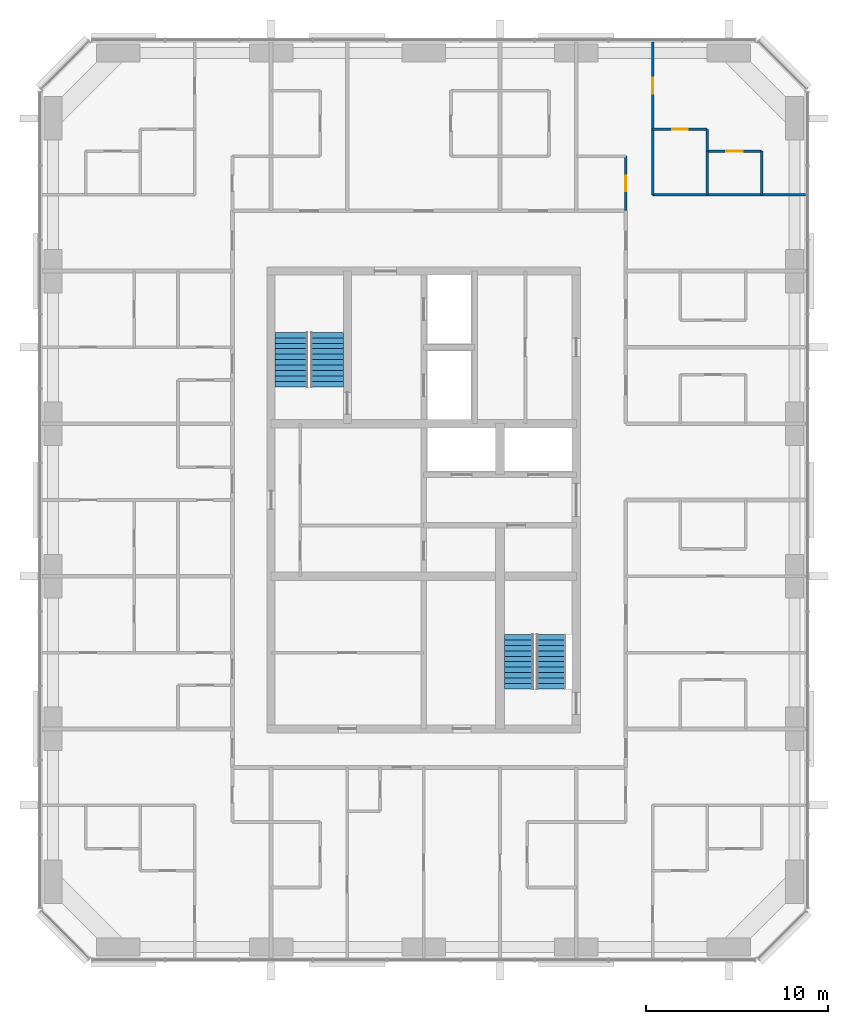
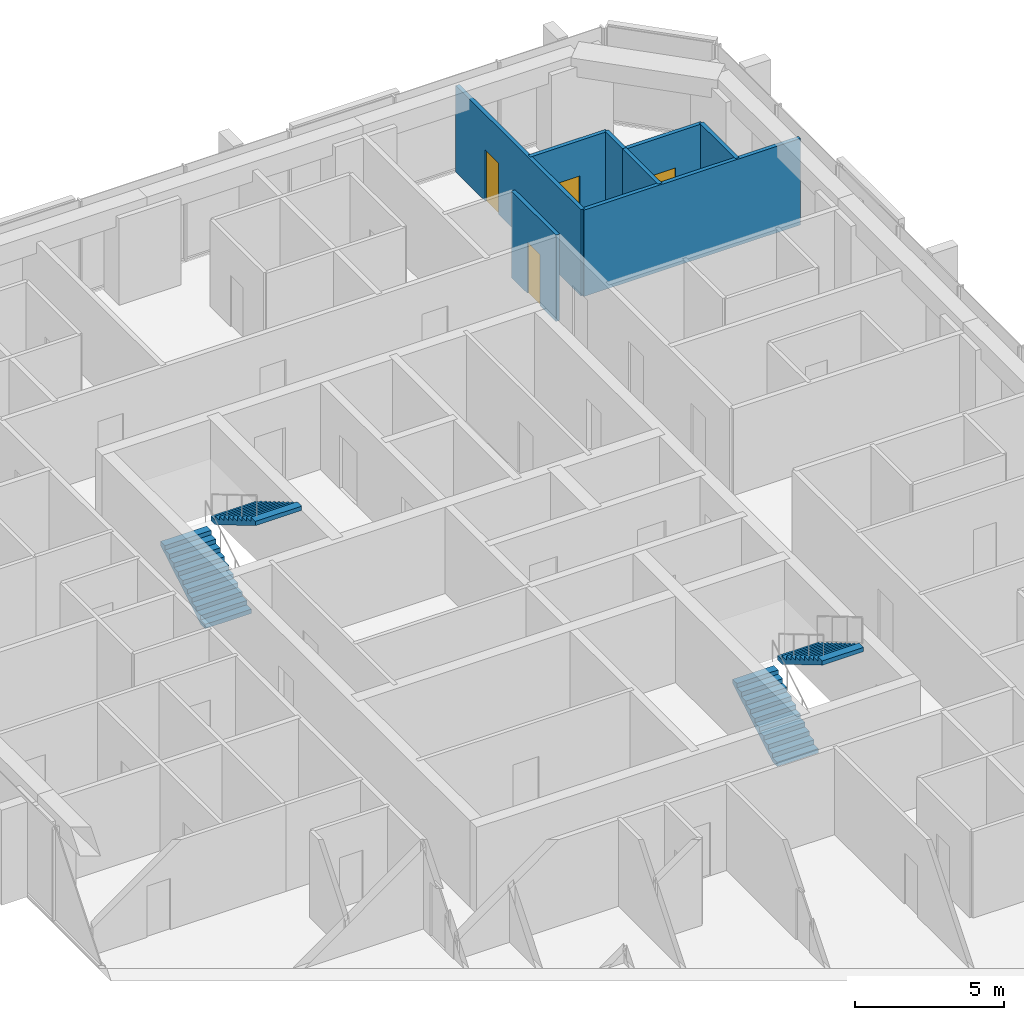
# One storey, part 11 of 12: 8 walls, 4 doors, 4 stair flights, 4 openings, 2 elements without a shape of their own.
"""IFC4 building model written with IfcOpenShell, lengths in metres."""

import ifcopenshell
import ifcopenshell.guid

model = None  # the IFC model being written
_history = None  # IfcOwnerHistory: only IFC2X3 demands one
_inside = {}  # id of a spatial element -> (the spatial element, [elements in it])
_under = {}  # id of a project, library or spatial element -> (it, [spatial elements below it])
_declared = {}  # id of a project -> (the project, [libraries it declares])
_typed = {}  # id of a type object -> (the type object, [elements of that type])
_made_of = {}  # id of a material, layer set ... -> (it, [elements and type objects made of it])


def new_model(schema):
    """Start an empty IFC model of exactly this schema.

    Asked for "IFC4X3", IfcOpenShell would pick the latest addendum, in which some entities
    have other attributes; the version numbers below select the first issue.
    IFC2X3 requires an IfcOwnerHistory on every rooted entity: one is made here for all.
    """
    global model, _history
    if schema == "IFC4X3":
        model = ifcopenshell.file(schema_version=(4, 3, 0, 0))
    else:
        model = ifcopenshell.file(schema=schema)
    _inside.clear()
    _under.clear()
    _declared.clear()
    _typed.clear()
    _made_of.clear()
    _history = None
    if model.schema == "IFC2X3":
        org = make("IfcOrganization", Name="unknown")
        user = make(
            "IfcPersonAndOrganization",
            ThePerson=make("IfcPerson", FamilyName="unknown"),
            TheOrganization=org,
        )
        app = make(
            "IfcApplication",
            ApplicationDeveloper=org,
            Version="unknown",
            ApplicationFullName="unknown",
            ApplicationIdentifier="unknown",
        )
        _history = make(
            "IfcOwnerHistory",
            OwningUser=user,
            OwningApplication=app,
            ChangeAction="ADDED",
            CreationDate=0,
        )
    return model


def make(cls, **values):
    """One entity of the class cls with the attributes given. An attribute that is None is left unset."""
    return model.create_entity(
        cls, **{name: value for name, value in values.items() if value is not None}
    )


def rooted(cls, **values):
    """An entity with a GlobalId (a new one), such as an element, a storey or a relation."""
    return make(cls, GlobalId=ifcopenshell.guid.new(), OwnerHistory=_history, **values)


def si_unit(unit_type, name, prefix=None):
    """IfcSIUnit, for example si_unit("LENGTHUNIT", "METRE", prefix="MILLI")."""
    return make("IfcSIUnit", UnitType=unit_type, Prefix=prefix, Name=name)


def assignment(units):
    """IfcUnitAssignment: the units of a project."""
    return None if units is None else make("IfcUnitAssignment", Units=units)


def point(xyz):
    """IfcCartesianPoint."""
    return None if xyz is None else make("IfcCartesianPoint", Coordinates=xyz)


def direction(xyz):
    """IfcDirection."""
    return None if xyz is None else make("IfcDirection", DirectionRatios=xyz)


def frame(location, z_axis=None, x_axis=None):
    """IfcAxis2Placement3D, a coordinate frame: its origin and axes. An axis left out is left unset."""
    return make(
        "IfcAxis2Placement3D",
        Location=point(location),
        Axis=direction(z_axis),
        RefDirection=direction(x_axis),
    )


def frame_2d(location, x_axis=None):
    """IfcAxis2Placement2D, a coordinate frame in the plane: its origin and x axis."""
    return make(
        "IfcAxis2Placement2D", Location=point(location), RefDirection=direction(x_axis)
    )


def origin():
    """The frame at (0, 0, 0) with its axes left unset."""
    return frame((0.0, 0.0, 0.0))


def place(relative_to, where):
    """IfcLocalPlacement: puts the frame where relative to a parent placement (None: the world)."""
    return make(
        "IfcLocalPlacement", PlacementRelTo=relative_to, RelativePlacement=where
    )


def context(
    kind, dimensions, precision=None, world=None, true_north=None, identifier=None
):
    """IfcGeometricRepresentationContext, for example the 3D "Model" context."""
    return make(
        "IfcGeometricRepresentationContext",
        ContextIdentifier=identifier,
        ContextType=kind,
        CoordinateSpaceDimension=dimensions,
        Precision=precision,
        WorldCoordinateSystem=world,
        TrueNorth=true_north,
    )


def subcontext(parent, identifier, kind, view, scale=None):
    """IfcGeometricRepresentationSubContext, for example "Body" below "Model"."""
    return make(
        "IfcGeometricRepresentationSubContext",
        ContextIdentifier=identifier,
        ContextType=kind,
        ParentContext=parent,
        TargetScale=scale,
        TargetView=view,
    )


def project(units=None, contexts=None):
    """IfcProject with its units and contexts."""
    return rooted(
        "IfcProject",
        Name="project",
        RepresentationContexts=contexts,
        UnitsInContext=assignment(units),
    )


def spatial(cls, under=None, at=None, **own):
    """A site, building, storey or space (cls), placed at a placement, below another one or the project."""
    s = rooted(cls, ObjectPlacement=at, **own)
    if under is not None:
        _under.setdefault(under.id(), (under, []))[1].append(s)
    return s


def polyline(points):
    """IfcPolyline through the points."""
    return make("IfcPolyline", Points=[point(p) for p in points])


def profile(cls, at=None, kind="AREA", **sizes):
    """A parametric profile (cls). Its sizes go by their IFC names, for example OverallWidth=200.0."""
    return make(cls, ProfileType=kind, Position=at, **sizes)


def rectangle(**sizes):
    """IfcRectangleProfileDef."""
    return profile("IfcRectangleProfileDef", **sizes)


def outline(outer, holes=None, kind="AREA"):
    """IfcArbitraryClosedProfileDef: a profile drawn as a closed curve; with holes, ...WithVoids."""
    if holes is None:
        return make("IfcArbitraryClosedProfileDef", ProfileType=kind, OuterCurve=outer)
    return make(
        "IfcArbitraryProfileDefWithVoids",
        ProfileType=kind,
        OuterCurve=outer,
        InnerCurves=holes,
    )


def extrude(swept, where, along, depth):
    """IfcExtrudedAreaSolid: the profile swept, set in the frame where, extruded along a direction by depth."""
    return make(
        "IfcExtrudedAreaSolid",
        SweptArea=swept,
        Position=where,
        ExtrudedDirection=direction(along),
        Depth=depth,
    )


def shape(context_of_items, identifier, shape_type, items):
    """IfcShapeRepresentation: the items that make up one representation, for example the "Body"."""
    return make(
        "IfcShapeRepresentation",
        ContextOfItems=context_of_items,
        RepresentationIdentifier=identifier,
        RepresentationType=shape_type,
        Items=items,
    )


def material(Name=None, Category=None):
    """IfcMaterial."""
    return make("IfcMaterial", Name=Name, Category=Category)


def layer(
    of_material, thickness, ventilated=None, Name=None, Category=None, Priority=None
):
    """IfcMaterialLayer: one layer of a wall or slab, of a material (None: an air gap)."""
    return make(
        "IfcMaterialLayer",
        Material=of_material,
        LayerThickness=thickness,
        IsVentilated=ventilated,
        Name=Name,
        Category=Category,
        Priority=Priority,
    )


def layer_set(layers, Name=None):
    """IfcMaterialLayerSet."""
    return make("IfcMaterialLayerSet", MaterialLayers=layers, LayerSetName=Name)


def made_of(thing, what):
    """Note that an element or type object is made of a material, layer set ...; save() writes the relation."""
    if what is not None:
        _made_of.setdefault(what.id(), (what, []))[1].append(thing)
    return thing


def type_object(cls, material=None, **own):
    """A type object (cls), such as IfcWallType, which elements share."""
    return made_of(rooted(cls, **own), material)


def element(
    cls,
    number,
    at=None,
    inside=None,
    cuts=None,
    type_object=None,
    material=None,
    context=None,
    identifier="Body",
    shape_type=None,
    held_by="IfcProductDefinitionShape",
    body=None,
    shapes=None,
    **own,
):
    """One element of the class cls, such as IfcWall. Its Tag is "e" and its number.

    at: its placement. inside: the storey or other place that contains it. cuts: it is an
    opening in that element (IfcRelVoidsElement). A single representation is given by context,
    identifier, shape_type and body (its items); several are given by shapes. held_by: the class
    of the entity that holds the representations. save() writes the other relations.
    """
    e = rooted(cls, Tag="e%d" % number, ObjectPlacement=at, **own)
    if body is not None:
        shapes = [shape(context, identifier, shape_type, body)]
    if shapes is not None:
        e.Representation = make(held_by, Representations=shapes)
    if inside is not None:
        _inside.setdefault(inside.id(), (inside, []))[1].append(e)
    if cuts is not None:
        rooted(
            "IfcRelVoidsElement", RelatingBuildingElement=cuts, RelatedOpeningElement=e
        )
    if type_object is not None:
        _typed.setdefault(type_object.id(), (type_object, []))[1].append(e)
    return made_of(e, material)


def fill(opening, filler):
    """IfcRelFillsElement: the door or window that sits in an opening."""
    return rooted(
        "IfcRelFillsElement",
        RelatingOpeningElement=opening,
        RelatedBuildingElement=filler,
    )


def aggregate(whole, parts):
    """IfcRelAggregates: a whole, such as a stair, and the parts it consists of."""
    return rooted("IfcRelAggregates", RelatingObject=whole, RelatedObjects=parts)


def save(model, path):
    """Write the relations noted so far, then the file.

    IfcRelAggregates (storeys below a building ...), IfcRelContainedInSpatialStructure (elements
    in a storey), IfcRelDefinesByType, IfcRelAssociatesMaterial and IfcRelDeclares: one each for
    every whole, place, type object, material and project.
    """
    for whole, parts in _under.values():
        aggregate(whole, parts)
    for where, things in _inside.values():
        rooted(
            "IfcRelContainedInSpatialStructure",
            RelatedElements=things,
            RelatingStructure=where,
        )
    for kind, things in _typed.values():
        rooted("IfcRelDefinesByType", RelatedObjects=things, RelatingType=kind)
    for what, things in _made_of.values():
        rooted("IfcRelAssociatesMaterial", RelatedObjects=things, RelatingMaterial=what)
    for by, libraries in _declared.values():
        rooted("IfcRelDeclares", RelatingContext=by, RelatedDefinitions=libraries)
    model.write(path)


model = new_model("IFC4")

# Units and contexts
model_context = context("Model", 3, precision=1e-05, world=origin(), true_north=direction((0.0, 1.0)))
body_context = subcontext(model_context, "Body", "Model", "MODEL_VIEW")
ifc_project = project(units=[si_unit("LENGTHUNIT", "METRE"), si_unit("AREAUNIT", "SQUARE_METRE"), si_unit("VOLUMEUNIT", "CUBIC_METRE"), si_unit("PLANEANGLEUNIT", "RADIAN"), si_unit("MASSUNIT", "GRAM", prefix="KILO")], contexts=[model_context])

# Site, building, storey
site_placement = place(None, origin())
site = spatial("IfcSite", under=ifc_project, at=site_placement, CompositionType="ELEMENT")
building_placement = place(site_placement, origin())
building = spatial("IfcBuilding", under=site, at=building_placement, Name="Dunama Terrace Hotel", CompositionType="ELEMENT")
storey_placement = place(building_placement, frame((0.0, 0.0, 260.699951171875)))
storey = spatial("IfcBuildingStorey", under=building, at=storey_placement, Name="L67", CompositionType="ELEMENT", Elevation=260.699951171875)

# Wall, opening, door
ifc_material_1 = material(Name="Gypsum board partition", Category="masonry")
ifc_layer_1 = layer(ifc_material_1, 0.14990234375)
ifc_layer_set_1 = layer_set([ifc_layer_1], Name="Bathroom partition 150")
wall_type_1 = type_object("IfcWallType", Name="Bathroom partition 150", PredefinedType="PARTITIONING", material=ifc_layer_set_1)
wall_1_placement = place(storey_placement, frame((44.72509765625, 45.324951171875, 0.0), z_axis=(0.0, 0.0, 1.0), x_axis=(0.0, 1.0, 0.0)))
wall_1 = element("IfcWall", 1, at=wall_1_placement, inside=storey, type_object=wall_type_1, Name="Bathroom partition 150 L67", PredefinedType="PARTITIONING", context=body_context, shape_type="SweptSolid", body=[
    extrude(rectangle(XDim=3.0, YDim=0.14990234375, at=frame_2d((1.5, 0.0))), origin(), (0.0, 0.0, 1.0), 3.550048828125),
])
opening_1_placement = place(wall_1_placement, frame((1.074951171875, 0.0, 0.0)))
opening_1 = element("IfcOpeningElement", 2, at=opening_1_placement, cuts=wall_1, Name="Opening L65-67-055", PredefinedType="OPENING", context=body_context, shape_type="SweptSolid", body=[
    extrude(rectangle(XDim=0.85009765625, YDim=2.10009765625, at=frame_2d((0.425048828125, 1.050048828125))), frame((0.0, 0.0849609375, 0.0), z_axis=(0.0, -1.0, 0.0), x_axis=(1.0, 0.0, 0.0)), (0.0, 0.0, 1.0), 0.169921875),
])
ifc_material_2 = material(Name="Timber door with steel frame", Category="steel")
door_type_1 = type_object("IfcDoorType", Name="Bathroom door 850", OperationType="SINGLE_SWING_LEFT", PredefinedType="DOOR", material=ifc_material_2)
door_1_placement = place(opening_1_placement, origin())
door_1 = element("IfcDoor", 3, at=door_1_placement, inside=storey, type_object=door_type_1, Name="Door to powder room L65-67-055, type D2", OperationType="SINGLE_SWING_LEFT", OverallHeight=2.10009765625, OverallWidth=0.85009765625, PredefinedType="DOOR", context=body_context, shape_type="SweptSolid", body=[
    extrude(rectangle(XDim=0.85009765625, YDim=2.10009765625, at=frame_2d((0.425048828125, 1.050048828125))), frame((0.0, 0.02490234375, 0.0), z_axis=(0.0, -1.0, 0.0), x_axis=(1.0, 0.0, 0.0)), (0.0, 0.0, 1.0), 0.050048828125),
])
fill(opening_1, door_1)

# Wall
wall_2_placement = place(storey_placement, frame((49.199951171875, 48.60009765625, 0.0), z_axis=(0.0, 0.0, 1.0), x_axis=(0.0, 1.0, 0.0)))
element("IfcWall", 4, at=wall_2_placement, inside=storey, type_object=wall_type_1, Name="Bathroom partition 150 L67", PredefinedType="PARTITIONING", context=body_context, shape_type="SweptSolid", body=[
    extrude(rectangle(XDim=1.199951171875, YDim=0.14990234375, at=frame_2d((0.60009765625, 0.0))), origin(), (0.0, 0.0, 1.0), 3.550048828125),
])

# Wall, opening, door
wall_3_placement = place(storey_placement, frame((46.199951171875, 49.800048828125, 0.0), z_axis=(0.0, 0.0, 1.0), x_axis=(1.0, 0.0, 0.0)))
wall_3 = element("IfcWall", 5, at=wall_3_placement, inside=storey, type_object=wall_type_1, Name="Bathroom partition 150 L67", PredefinedType="PARTITIONING", context=body_context, shape_type="SweptSolid", body=[
    extrude(rectangle(XDim=3.0, YDim=0.14990234375, at=frame_2d((1.5, 0.0))), origin(), (0.0, 0.0, 1.0), 3.550048828125),
])
opening_2_placement = place(wall_3_placement, frame((1.074951171875, 0.0, 0.0)))
opening_2 = element("IfcOpeningElement", 6, at=opening_2_placement, cuts=wall_3, Name="Opening L65-67-057", PredefinedType="OPENING", context=body_context, shape_type="SweptSolid", body=[
    extrude(rectangle(XDim=0.85009765625, YDim=2.10009765625, at=frame_2d((0.425048828125, 1.050048828125))), frame((0.0, 0.0849609375, 0.0), z_axis=(0.0, -1.0, 0.0), x_axis=(1.0, 0.0, 0.0)), (0.0, 0.0, 1.0), 0.169921875),
])
door_2_placement = place(opening_2_placement, frame((0.85009765625, 0.0, 0.0), z_axis=(0.0, 0.0, 1.0), x_axis=(-1.0, 0.0, 0.0)))
door_2 = element("IfcDoor", 7, at=door_2_placement, inside=storey, type_object=door_type_1, Name="Door to en-suite bathroom L65-67-057, type D2", OperationType="SINGLE_SWING_LEFT", OverallHeight=2.10009765625, OverallWidth=0.85009765625, PredefinedType="DOOR", context=body_context, shape_type="SweptSolid", body=[
    extrude(rectangle(XDim=0.85009765625, YDim=2.10009765625, at=frame_2d((0.425048828125, 1.050048828125))), frame((0.0, 0.025146484375, 0.0), z_axis=(0.0, -1.0, 0.0), x_axis=(1.0, 0.0, 0.0)), (0.0, 0.0, 1.0), 0.050048828125),
])
fill(opening_2, door_2)

ifc_material_3 = material(Name="Gypsum board partition", Category="masonry")
ifc_layer_2 = layer(ifc_material_3, 0.14990234375)
ifc_layer_set_2 = layer_set([ifc_layer_2], Name="Room partition 150")
wall_type_2 = type_object("IfcWallType", Name="Room partition 150", PredefinedType="PARTITIONING", material=ifc_layer_set_2)
wall_4_placement = place(storey_placement, frame((46.199951171875, 46.199951171875, 0.0), z_axis=(0.0, 0.0, 1.0), x_axis=(0.0, 1.0, 0.0)))
wall_4 = element("IfcWall", 8, at=wall_4_placement, inside=storey, type_object=wall_type_2, Name="Room partition 150 L67", PredefinedType="PARTITIONING", context=body_context, shape_type="SweptSolid", body=[
    extrude(rectangle(XDim=8.41796875, YDim=0.14990234375, at=frame_2d((4.208984375, 0.0))), origin(), (0.0, 0.0, 1.0), 3.550048828125),
])
opening_3_placement = place(wall_4_placement, frame((5.550048828125, 0.0, 0.0)))
opening_3 = element("IfcOpeningElement", 9, at=opening_3_placement, cuts=wall_4, Name="Opening L65-67-056", PredefinedType="OPENING", context=body_context, shape_type="SweptSolid", body=[
    extrude(rectangle(XDim=0.89990234375, YDim=2.10009765625, at=frame_2d((0.449951171875, 1.050048828125))), frame((0.0, 0.0849609375, 0.0), z_axis=(0.0, -1.0, 0.0), x_axis=(1.0, 0.0, 0.0)), (0.0, 0.0, 1.0), 0.169921875),
])
ifc_material_4 = material(Name="Timber door with steel frame", Category="steel")
door_type_2 = type_object("IfcDoorType", Name="Suite internal door 900", OperationType="SINGLE_SWING_LEFT", PredefinedType="DOOR", material=ifc_material_4)
door_3_placement = place(opening_3_placement, frame((0.89990234375, 0.0, 0.0), z_axis=(0.0, 0.0, 1.0), x_axis=(-1.0, 0.0, 0.0)))
door_3 = element("IfcDoor", 10, at=door_3_placement, inside=storey, type_object=door_type_2, Name="Door to grand corner suite bedroom L65-67-056, type D16", OperationType="SINGLE_SWING_RIGHT", OverallHeight=2.10009765625, OverallWidth=0.89990234375, PredefinedType="DOOR", context=body_context, shape_type="SweptSolid", body=[
    extrude(rectangle(XDim=0.89990234375, YDim=2.10009765625, at=frame_2d((0.449951171875, 1.050048828125))), frame((0.0, 0.025146484375, 0.0), z_axis=(0.0, -1.0, 0.0), x_axis=(1.0, 0.0, 0.0)), (0.0, 0.0, 1.0), 0.050048828125),
])
fill(opening_3, door_3)

# Walls
for number, where, z_axis, x_axis, name in (
    (11, (49.199951171875, 46.199951171875, 0.0), (0.0, 0.0, 1.0), (0.0, 1.0, 0.0), "Room partition 150 L67"),
    (12, (52.199951171875, 46.199951171875, 0.0), (0.0, 0.0, 1.0), (0.0, 1.0, 0.0), "Room partition 150 L67"),
):
    element("IfcWall", number, at=place(storey_placement, frame(where, z_axis=z_axis, x_axis=x_axis)), inside=storey, type_object=wall_type_2, Name=name, PredefinedType="PARTITIONING", context=body_context, shape_type="SweptSolid", body=[
        extrude(rectangle(XDim=2.400146484375, YDim=0.14990234375, at=frame_2d((1.2001953125, 0.0))), origin(), (0.0, 0.0, 1.0), 3.550048828125),
    ])
wall_5_placement = place(storey_placement, frame((46.199951171875, 46.199951171875, 0.0), z_axis=(0.0, 0.0, 1.0), x_axis=(1.0, 0.0, 0.0)))
element("IfcWall", 13, at=wall_5_placement, inside=storey, type_object=wall_type_2, Name="Room partition 150 L67", PredefinedType="PARTITIONING", context=body_context, shape_type="SweptSolid", body=[
    extrude(rectangle(XDim=8.41796875, YDim=0.14990234375, at=frame_2d((4.208984375, 0.0))), origin(), (0.0, 0.0, 1.0), 3.550048828125),
])

# Wall, opening, door
wall_6_placement = place(storey_placement, frame((49.199951171875, 48.60009765625, 0.0), z_axis=(0.0, 0.0, 1.0), x_axis=(1.0, 0.0, 0.0)))
wall_6 = element("IfcWall", 14, at=wall_6_placement, inside=storey, type_object=wall_type_2, Name="Room partition 150 L67", PredefinedType="PARTITIONING", context=body_context, shape_type="SweptSolid", body=[
    extrude(rectangle(XDim=3.0, YDim=0.14990234375, at=frame_2d((1.5, 0.0))), origin(), (0.0, 0.0, 1.0), 3.550048828125),
])
opening_4_placement = place(wall_6_placement, frame((1.050048828125, 0.0, 0.0)))
opening_4 = element("IfcOpeningElement", 15, at=opening_4_placement, cuts=wall_6, Name="Opening L65-67-058", PredefinedType="OPENING", context=body_context, shape_type="SweptSolid", body=[
    extrude(rectangle(XDim=0.89990234375, YDim=2.10009765625, at=frame_2d((0.449951171875, 1.050048828125))), frame((0.0, 0.0849609375, 0.0), z_axis=(0.0, -1.0, 0.0), x_axis=(1.0, 0.0, 0.0)), (0.0, 0.0, 1.0), 0.169921875),
])
door_4_placement = place(opening_4_placement, frame((0.89990234375, 0.0, 0.0), z_axis=(0.0, 0.0, 1.0), x_axis=(-1.0, 0.0, 0.0)))
door_4 = element("IfcDoor", 16, at=door_4_placement, inside=storey, type_object=door_type_2, Name="Door to dressing room L65-67-058, type D16", OperationType="SINGLE_SWING_RIGHT", OverallHeight=2.10009765625, OverallWidth=0.89990234375, PredefinedType="DOOR", context=body_context, shape_type="SweptSolid", body=[
    extrude(rectangle(XDim=0.89990234375, YDim=2.10009765625, at=frame_2d((0.449951171875, 1.050048828125))), frame((0.0, 0.025146484375, 0.0), z_axis=(0.0, -1.0, 0.0), x_axis=(1.0, 0.0, 0.0)), (0.0, 0.0, 1.0), 0.050048828125),
])
fill(opening_4, door_4)

# Stair, stair flights
ifc_material_5 = material(Name="Concrete C40/50", Category="concrete")
stair_type_1 = type_object("IfcStairType", Name="Stair ST1-3900-1800", PredefinedType="HALF_TURN_STAIR", material=ifc_material_5)
stair_1_placement = place(storey_placement, origin())
stair_1 = element("IfcStair", 17, at=stair_1_placement, inside=storey, type_object=stair_type_1, Name="Stair ST1 L67", PredefinedType="HALF_TURN_STAIR")
ifc_material_6 = material(Name="Concrete C40/50", Category="concrete")
stair_flight_type_1 = type_object("IfcStairFlightType", Name="Stair flight ST1-3900-1800", PredefinedType="STRAIGHT", material=ifc_material_6)
stair_flight_1_placement = place(storey_placement, frame((26.324951171875, 35.625, 0.0), z_axis=(0.0, 0.0, 1.0), x_axis=(0.0, 1.0, 0.0)))
stair_flight_1 = element("IfcStairFlight", 18, at=stair_flight_1_placement, type_object=stair_flight_type_1, Name="ST1 flight 1", NumberOfRisers=11, NumberOfTreads=10, PredefinedType="STRAIGHT", RiserHeight=0.177272727, TreadLength=0.3, context=body_context, shape_type="SweptSolid", body=[
    extrude(outline(polyline([(0.0, 0.0), (0.0, 0.17724609375), (0.300048828125, 0.17724609375), (0.300048828125, 0.3544921875), (0.60009765625, 0.3544921875), (0.60009765625, 0.53173828125), (0.89990234375, 0.53173828125), (0.89990234375, 0.708984375), (1.199951171875, 0.708984375), (1.199951171875, 0.886474609375), (1.5, 0.886474609375), (1.5, 1.063720703125), (1.800048828125, 1.063720703125), (1.800048828125, 1.240966796875), (2.10009765625, 1.240966796875), (2.10009765625, 1.418212890625), (2.39990234375, 1.418212890625), (2.39990234375, 1.595458984375), (2.699951171875, 1.595458984375), (2.699951171875, 1.772705078125), (3.0, 1.772705078125), (3.0, 1.949951171875), (3.0, 1.5986328125), (0.294677734375, 0.0), (0.0, 0.0)])), frame((0.0, 0.89990234375, 0.0), z_axis=(0.0, -1.0, 0.0), x_axis=(1.0, 0.0, 0.0)), (0.0, 0.0, 1.0), 1.800048828125),
])
stair_flight_2_placement = place(storey_placement, frame((28.27490234375, 38.625, 1.949951171875), z_axis=(0.0, 0.0, 1.0), x_axis=(0.0, -1.0, 0.0)))
stair_flight_2 = element("IfcStairFlight", 19, at=stair_flight_2_placement, type_object=stair_flight_type_1, Name="ST1 flight 2", NumberOfRisers=11, NumberOfTreads=10, PredefinedType="STRAIGHT", RiserHeight=0.177272727, TreadLength=0.3, context=body_context, shape_type="SweptSolid", body=[
    extrude(outline(polyline([(0.0, 0.0), (0.0, 0.17724609375), (0.300048828125, 0.17724609375), (0.300048828125, 0.3544921875), (0.60009765625, 0.3544921875), (0.60009765625, 0.53173828125), (0.89990234375, 0.53173828125), (0.89990234375, 0.708984375), (1.199951171875, 0.708984375), (1.199951171875, 0.886474609375), (1.5, 0.886474609375), (1.5, 1.063720703125), (1.800048828125, 1.063720703125), (1.800048828125, 1.240966796875), (2.10009765625, 1.240966796875), (2.10009765625, 1.418212890625), (2.39990234375, 1.418212890625), (2.39990234375, 1.595458984375), (2.699951171875, 1.595458984375), (2.699951171875, 1.772705078125), (3.0, 1.772705078125), (3.0, 1.949951171875), (3.0, 1.5986328125), (0.294677734375, 0.0), (0.0, 0.0)])), frame((0.0, 0.89990234375, 0.0), z_axis=(0.0, -1.0, 0.0), x_axis=(1.0, 0.0, 0.0)), (0.0, 0.0, 1.0), 1.800048828125),
])
aggregate(stair_1, [stair_flight_1, stair_flight_2])

ifc_material_7 = material(Name="Concrete C40/50", Category="concrete")
stair_type_2 = type_object("IfcStairType", Name="Stair ST2-3900-1600", PredefinedType="HALF_TURN_STAIR", material=ifc_material_7)
stair_2_placement = place(storey_placement, origin())
stair_2 = element("IfcStair", 20, at=stair_2_placement, inside=storey, type_object=stair_type_2, Name="Stair ST2 L67", PredefinedType="HALF_TURN_STAIR")
ifc_material_8 = material(Name="Concrete C40/50", Category="concrete")
stair_flight_type_2 = type_object("IfcStairFlightType", Name="Stair flight ST2-3900-1600", PredefinedType="STRAIGHT", material=ifc_material_8)
stair_flight_3_placement = place(storey_placement, frame((38.85009765625, 19.0, 0.0), z_axis=(0.0, 0.0, 1.0), x_axis=(0.0, 1.0, 0.0)))
stair_flight_3 = element("IfcStairFlight", 21, at=stair_flight_3_placement, type_object=stair_flight_type_2, Name="ST2 flight 1", NumberOfRisers=11, NumberOfTreads=10, PredefinedType="STRAIGHT", RiserHeight=0.177272727, TreadLength=0.3, context=body_context, shape_type="SweptSolid", body=[
    extrude(outline(polyline([(0.0, 0.0), (0.0, 0.17724609375), (0.300048828125, 0.17724609375), (0.300048828125, 0.3544921875), (0.60009765625, 0.3544921875), (0.60009765625, 0.53173828125), (0.89990234375, 0.53173828125), (0.89990234375, 0.708984375), (1.199951171875, 0.708984375), (1.199951171875, 0.886474609375), (1.5, 0.886474609375), (1.5, 1.063720703125), (1.800048828125, 1.063720703125), (1.800048828125, 1.240966796875), (2.10009765625, 1.240966796875), (2.10009765625, 1.418212890625), (2.39990234375, 1.418212890625), (2.39990234375, 1.595458984375), (2.699951171875, 1.595458984375), (2.699951171875, 1.772705078125), (3.0, 1.772705078125), (3.0, 1.949951171875), (3.0, 1.5986328125), (0.294677734375, 0.0), (0.0, 0.0)])), frame((0.0, 0.800048828125, 0.0), z_axis=(0.0, -1.0, 0.0), x_axis=(1.0, 0.0, 0.0)), (0.0, 0.0, 1.0), 1.60009765625),
])
stair_flight_4_placement = place(storey_placement, frame((40.60009765625, 22.0, 1.949951171875), z_axis=(0.0, 0.0, 1.0), x_axis=(0.0, -1.0, 0.0)))
stair_flight_4 = element("IfcStairFlight", 22, at=stair_flight_4_placement, type_object=stair_flight_type_2, Name="ST2 flight 2", NumberOfRisers=11, NumberOfTreads=10, PredefinedType="STRAIGHT", RiserHeight=0.177272727, TreadLength=0.3, context=body_context, shape_type="SweptSolid", body=[
    extrude(outline(polyline([(0.0, 0.0), (0.0, 0.17724609375), (0.300048828125, 0.17724609375), (0.300048828125, 0.3544921875), (0.60009765625, 0.3544921875), (0.60009765625, 0.53173828125), (0.89990234375, 0.53173828125), (0.89990234375, 0.708984375), (1.199951171875, 0.708984375), (1.199951171875, 0.886474609375), (1.5, 0.886474609375), (1.5, 1.063720703125), (1.800048828125, 1.063720703125), (1.800048828125, 1.240966796875), (2.10009765625, 1.240966796875), (2.10009765625, 1.418212890625), (2.39990234375, 1.418212890625), (2.39990234375, 1.595458984375), (2.699951171875, 1.595458984375), (2.699951171875, 1.772705078125), (3.0, 1.772705078125), (3.0, 1.949951171875), (3.0, 1.5986328125), (0.294677734375, 0.0), (0.0, 0.0)])), frame((0.0, 0.800048828125, 0.0), z_axis=(0.0, -1.0, 0.0), x_axis=(1.0, 0.0, 0.0)), (0.0, 0.0, 1.0), 1.60009765625),
])
aggregate(stair_2, [stair_flight_3, stair_flight_4])

save(model, "model.ifc")
